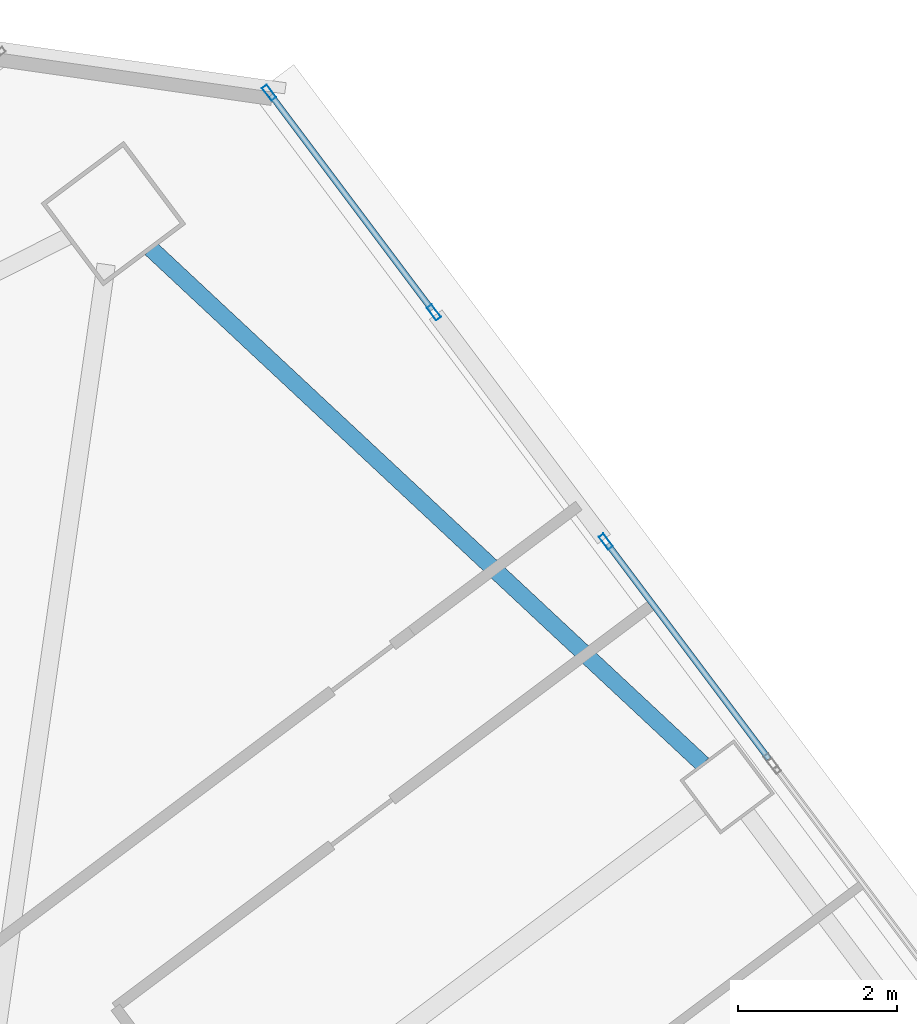
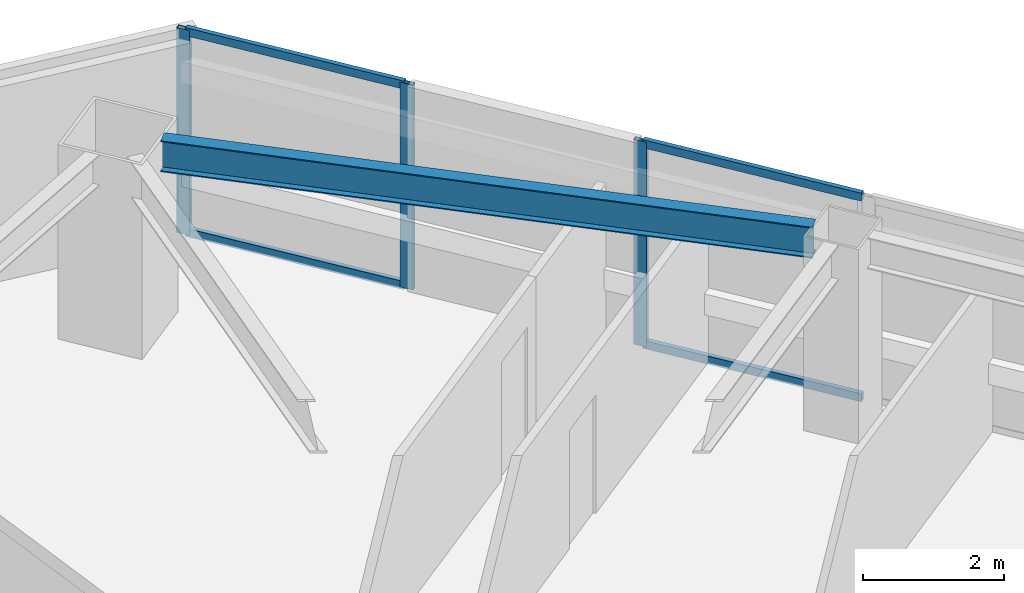
# One storey, part 33 of 46: 7 members, 1 beam, 2 elements without a shape of their own.
"""IFC4 building model written with IfcOpenShell, lengths in metres."""

from ifc_helpers import new_model, si_unit, direction, frame, origin, origin_2d, place, context, subcontext, project, spatial, hollow_rectangle, i_section, extrude, material, material_profile, profile_set, type_object, element, aggregate, save


model = new_model("IFC4")

# Units and contexts
model_context = context("Model", 3, precision=1e-05, world=origin(), true_north=direction((0.0, 1.0)))
body_context = subcontext(model_context, "Body", "Model", "MODEL_VIEW")
ifc_project = project(units=[si_unit("LENGTHUNIT", "METRE"), si_unit("AREAUNIT", "SQUARE_METRE"), si_unit("VOLUMEUNIT", "CUBIC_METRE"), si_unit("PLANEANGLEUNIT", "RADIAN"), si_unit("MASSUNIT", "GRAM", prefix="KILO")], contexts=[model_context])

# Site, building, storey
site_placement = place(None, origin())
site = spatial("IfcSite", under=ifc_project, at=site_placement, CompositionType="ELEMENT")
building_placement = place(site_placement, origin())
building = spatial("IfcBuilding", under=site, at=building_placement, Name="Tashvorn Skyway Center", CompositionType="ELEMENT")
storey_placement = place(building_placement, frame((0.0, 0.0, 139.25)))
storey = spatial("IfcBuildingStorey", under=building, at=storey_placement, Name="L37", CompositionType="ELEMENT", Elevation=139.25)

# Beam
ifc_material_1 = material(Name="Steel ASTM A992 Grade 50", Category="steel")
ifc_material_profile_1 = material_profile(ifc_material_1, i_section(OverallWidth=0.2109375, OverallDepth=0.5390625, WebThickness=0.01171875, FlangeThickness=0.018798828125, at=origin_2d()), Name="W21X73")
ifc_profile_set_1 = profile_set([ifc_material_profile_1], Name="Steel ASTM A992 Grade 50")
beam_type = type_object("IfcBeamType", Name="BM-SPANDREL-W21X73", PredefinedType="SPANDREL", material=ifc_profile_set_1)
beam_placement = place(storey_placement, frame((124.572998046875, 47.19677734375, 3.1005859375), z_axis=(-0.730843250868, 0.682545341102, 0.0), x_axis=(-0.682545341102, -0.730843250868, 0.0)))
element("IfcBeam", 1, at=beam_placement, inside=storey, type_object=beam_type, Name="Tower 2 L37 Spandrel Beam 06", PredefinedType="SPANDREL", context=body_context, shape_type="SweptSolid", body=[
    extrude(i_section(OverallWidth=0.2109375, OverallDepth=0.5390625, WebThickness=0.01171875, FlangeThickness=0.018798828125, at=origin_2d()), origin(), (0.0, 0.0, 1.0), 9.498046875),
])

# Curtain wall, members
ifc_material_2 = material(Name="Thermally broken bronze-anodized aluminium 6063-T6", Category="aluminium")
curtain_wall_type = type_object("IfcCurtainWallType", Name="CW-CW-Z3", PredefinedType="NOTDEFINED", material=ifc_material_2)
curtain_wall_1_placement = place(storey_placement, origin())
curtain_wall_1 = element("IfcCurtainWall", 2, at=curtain_wall_1_placement, inside=storey, type_object=curtain_wall_type, Name="Tower 2 L37 East Unitised Curtain Wall Glazing Group 1", PredefinedType="NOTDEFINED")
ifc_material_profile_2 = material_profile(ifc_material_2, hollow_rectangle(XDim=0.074951171875, YDim=0.199951171875, WallThickness=0.00439453125, at=origin_2d()), Name="ALU-MULL-75x200")
ifc_profile_set_2 = profile_set([ifc_material_profile_2], Name="Thermally broken bronze-anodized aluminium 6063-T6")
member_type_1 = type_object("IfcMemberType", Name="CWM-CW-Z3", PredefinedType="MULLION", material=ifc_profile_set_2)
member_1_placement = place(storey_placement, frame((119.118408203125, 55.64208984375, 0.0), z_axis=(0.0, 0.0, 1.0), x_axis=(0.800003400519, 0.599995465948, 0.0)))
member_1 = element("IfcMember", 3, at=member_1_placement, type_object=member_type_1, Name="CW-Z3 mullion 1", PredefinedType="MULLION", context=body_context, shape_type="SweptSolid", body=[
    extrude(hollow_rectangle(XDim=0.074951171875, YDim=0.199951171875, WallThickness=0.00439453125, at=origin_2d()), origin(), (0.0, 0.0, 1.0), 3.550048828125),
])
member_2_placement = place(storey_placement, frame((121.19091796875, 52.87890625, 0.0), z_axis=(0.0, 0.0, 1.0), x_axis=(0.800003400519, 0.599995465948, 0.0)))
member_2 = element("IfcMember", 4, at=member_2_placement, type_object=member_type_1, Name="CW-Z3 mullion 2", PredefinedType="MULLION", context=body_context, shape_type="SweptSolid", body=[
    extrude(hollow_rectangle(XDim=0.074951171875, YDim=0.199951171875, WallThickness=0.00439453125, at=origin_2d()), origin(), (0.0, 0.0, 1.0), 3.550048828125),
])

# Curtain wall, member
curtain_wall_2_placement = place(storey_placement, origin())
curtain_wall_2 = element("IfcCurtainWall", 5, at=curtain_wall_2_placement, inside=storey, type_object=curtain_wall_type, Name="Tower 2 L37 East Unitised Curtain Wall Glazing Group 2", PredefinedType="NOTDEFINED")
member_3_placement = place(storey_placement, frame((123.353271484375, 49.995849609375, 0.0), z_axis=(0.0, 0.0, 1.0), x_axis=(0.800003400519, 0.599995465948, 0.0)))
member_3 = element("IfcMember", 6, at=member_3_placement, type_object=member_type_1, Name="CW-Z3 mullion 1", PredefinedType="MULLION", context=body_context, shape_type="SweptSolid", body=[
    extrude(hollow_rectangle(XDim=0.074951171875, YDim=0.199951171875, WallThickness=0.00439453125, at=origin_2d()), origin(), (0.0, 0.0, 1.0), 3.550048828125),
])

# Member
ifc_material_profile_3 = material_profile(ifc_material_2, hollow_rectangle(XDim=0.074951171875, YDim=0.139892578125, WallThickness=0.004150390625, at=origin_2d()), Name="ALU-TRAN-75x140")
ifc_profile_set_3 = profile_set([ifc_material_profile_3], Name="Thermally broken bronze-anodized aluminium 6063-T6")
member_type_2 = type_object("IfcMemberType", Name="CWT-CW-Z3", PredefinedType="USERDEFINED", material=ifc_profile_set_3)
member_4_placement = place(storey_placement, frame((119.14111328125, 55.612060546875, 0.03759765625), z_axis=(0.599953754218, -0.800034682248, 0.0), x_axis=(0.800034682248, 0.599953754218, 0.0)))
member_4 = element("IfcMember", 7, at=member_4_placement, type_object=member_type_2, Name="CW-Z3 transom 1.1", ObjectType="TRANSOM", PredefinedType="USERDEFINED", context=body_context, shape_type="SweptSolid", body=[
    extrude(hollow_rectangle(XDim=0.074951171875, YDim=0.139892578125, WallThickness=0.004150390625, at=origin_2d()), origin(), (0.0, 0.0, 1.0), 3.378662109375),
])

member_5_placement = place(storey_placement, frame((119.14111328125, 55.612060546875, 3.512451171875), z_axis=(0.599953754218, -0.800034682248, 0.0), x_axis=(0.800034682248, 0.599953754218, 0.0)))
member_5 = element("IfcMember", 8, at=member_5_placement, type_object=member_type_2, Name="CW-Z3 transom 1.2", ObjectType="TRANSOM", PredefinedType="USERDEFINED", context=body_context, shape_type="SweptSolid", body=[
    extrude(hollow_rectangle(XDim=0.074951171875, YDim=0.139892578125, WallThickness=0.004150390625, at=origin_2d()), origin(), (0.0, 0.0, 1.0), 3.378662109375),
])

aggregate(curtain_wall_1, [member_1, member_2, member_4, member_5])

member_6_placement = place(storey_placement, frame((123.375732421875, 49.9658203125, 0.03759765625), z_axis=(0.6, -0.8, 0.0), x_axis=(0.8, 0.6, 0.0)))
member_6 = element("IfcMember", 9, at=member_6_placement, type_object=member_type_2, Name="CW-Z3 transom 1.1", ObjectType="TRANSOM", PredefinedType="USERDEFINED", context=body_context, shape_type="SweptSolid", body=[
    extrude(hollow_rectangle(XDim=0.074951171875, YDim=0.139892578125, WallThickness=0.004150390625, at=origin_2d()), origin(), (0.0, 0.0, 1.0), 3.37890625),
])

member_7_placement = place(storey_placement, frame((123.375732421875, 49.9658203125, 3.512451171875), z_axis=(0.6, -0.8, 0.0), x_axis=(0.8, 0.6, 0.0)))
member_7 = element("IfcMember", 10, at=member_7_placement, type_object=member_type_2, Name="CW-Z3 transom 1.2", ObjectType="TRANSOM", PredefinedType="USERDEFINED", context=body_context, shape_type="SweptSolid", body=[
    extrude(hollow_rectangle(XDim=0.074951171875, YDim=0.139892578125, WallThickness=0.004150390625, at=origin_2d()), origin(), (0.0, 0.0, 1.0), 3.37890625),
])

aggregate(curtain_wall_2, [member_3, member_6, member_7])

save(model, "model.ifc")
